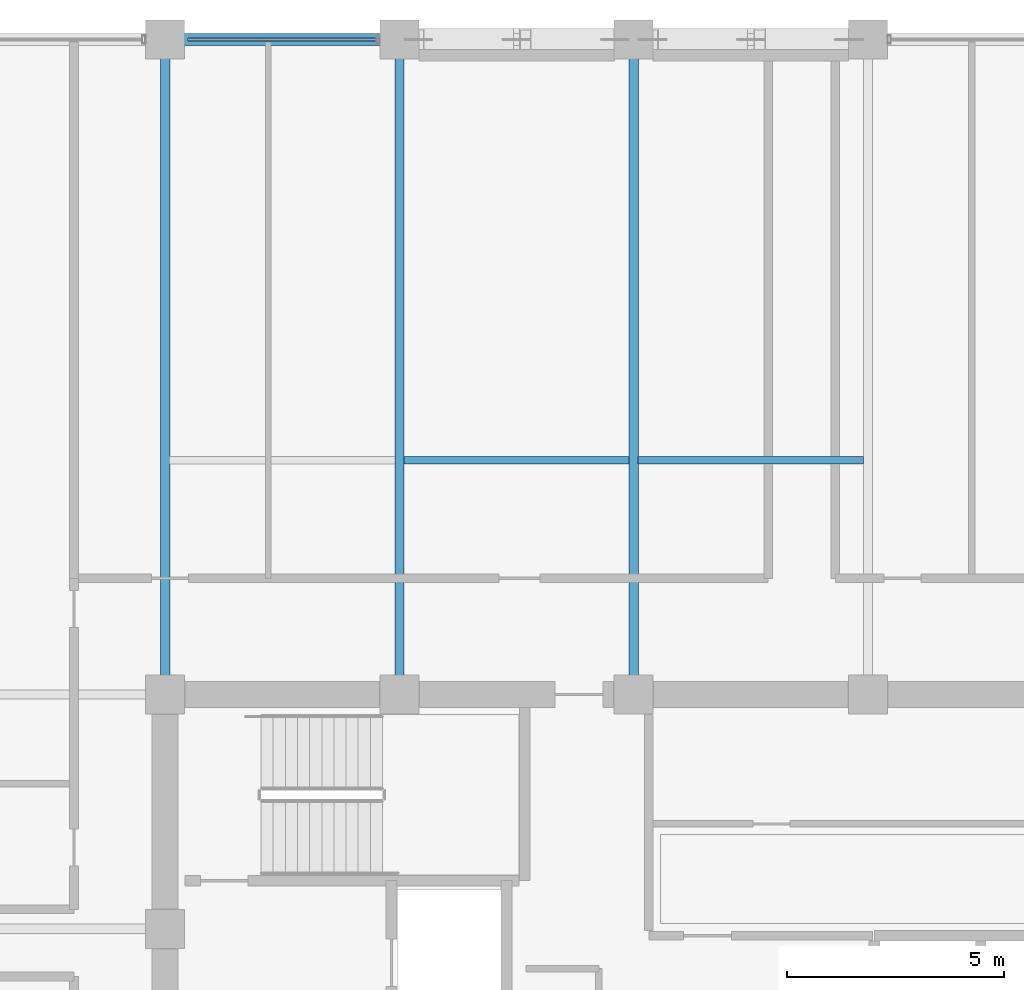
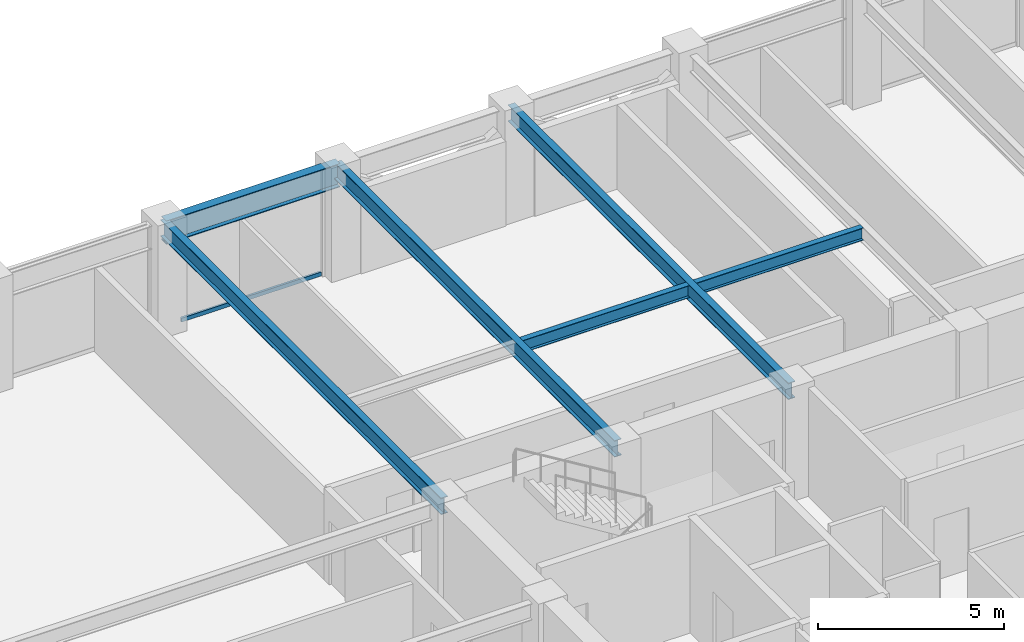
# One storey, part 20 of 32: 6 beams, 1 member, 1 element without a shape of its own.
"""IFC4 building model written with IfcOpenShell, lengths in metres."""

from ifc_helpers import new_model, si_unit, direction, frame, origin, origin_2d, place, context, subcontext, project, spatial, hollow_rectangle, i_section, extrude, material, layer, layer_set, material_profile, profile_set, type_object, element, aggregate, save


model = new_model("IFC4")

# Units and contexts
model_context = context("Model", 3, precision=1e-05, world=origin(), true_north=direction((0.0, 1.0)))
body_context = subcontext(model_context, "Body", "Model", "MODEL_VIEW")
ifc_project = project(units=[si_unit("LENGTHUNIT", "METRE"), si_unit("AREAUNIT", "SQUARE_METRE"), si_unit("VOLUMEUNIT", "CUBIC_METRE"), si_unit("PLANEANGLEUNIT", "RADIAN"), si_unit("MASSUNIT", "GRAM", prefix="KILO")], contexts=[model_context])

# Site, building, storey
site_placement = place(None, origin())
site = spatial("IfcSite", under=ifc_project, at=site_placement, CompositionType="ELEMENT")
building_placement = place(site_placement, origin())
building = spatial("IfcBuilding", under=site, at=building_placement, Name="Surkhivell Harbour Commons", CompositionType="ELEMENT")
storey_placement = place(building_placement, frame((0.0, 0.0, 197.25)))
storey = spatial("IfcBuildingStorey", under=building, at=storey_placement, Name="L51", CompositionType="ELEMENT", Elevation=197.25)

# Beams
ifc_material_1 = material(Name="Steel S355", Category="steel")
ifc_material_profile_1 = material_profile(ifc_material_1, i_section(OverallWidth=0.2119140625, OverallDepth=0.5439453125, WebThickness=0.0126953125, FlangeThickness=0.021240234375, at=origin_2d()), Name="UB533x210x122")
ifc_profile_set_1 = profile_set([ifc_material_profile_1], Name="Steel S355")
beam_type_1 = type_object("IfcBeamType", Name="BM-GRD-533A", PredefinedType="BEAM", material=ifc_profile_set_1)
for number, where, z_axis, x_axis, name in (
    (1, (-10.800048828125, 10.800048828125, 3.298095703125), (0.0, 1.0, 0.0), (-1.0, 0.0, 0.0), "L51 Floor Girder (-10.8,10.8)"),
    (2, (-5.39990234375, 10.800048828125, 3.298095703125), (0.0, 1.0, 0.0), (-1.0, 0.0, 0.0), "L51 Floor Girder (-5.4,10.8)"),
    (3, (0.0, 10.800048828125, 3.298095703125), (0.0, 1.0, 0.0), (-1.0, 0.0, 0.0), "L51 Floor Girder (0.0,10.8)"),
):
    element("IfcBeam", number, at=place(storey_placement, frame(where, z_axis=z_axis, x_axis=x_axis)), inside=storey, type_object=beam_type_1, Name=name, PredefinedType="BEAM", context=body_context, shape_type="SweptSolid", body=[
        extrude(i_section(OverallWidth=0.2119140625, OverallDepth=0.5439453125, WebThickness=0.0126953125, FlangeThickness=0.021240234375, at=origin_2d()), origin(), (0.0, 0.0, 1.0), 15.099853515625),
    ])
ifc_material_profile_2 = material_profile(ifc_material_1, i_section(OverallWidth=0.178955078125, OverallDepth=0.408935546875, WebThickness=0.0087890625, FlangeThickness=0.014404296875, at=origin_2d()), Name="UB406x178x67")
ifc_profile_set_2 = profile_set([ifc_material_profile_2], Name="Steel S355")
beam_type_2 = type_object("IfcBeamType", Name="BM-JST-406", PredefinedType="JOIST", material=ifc_profile_set_2)
for number, where, z_axis, x_axis, name in (
    (4, (-5.2958984375, 16.199951171875, 3.365478515625), (1.0, 0.0, 0.0), (0.0, 1.0, 0.0), "L51 North Composite Joist (-5.4)"),
    (5, (0.10400390625, 16.199951171875, 3.365478515625), (1.0, 0.0, 0.0), (0.0, 1.0, 0.0), "L51 North Composite Joist (0.0)"),
):
    element("IfcBeam", number, at=place(storey_placement, frame(where, z_axis=z_axis, x_axis=x_axis)), inside=storey, type_object=beam_type_2, Name=name, PredefinedType="JOIST", context=body_context, shape_type="SweptSolid", body=[
        extrude(i_section(OverallWidth=0.178955078125, OverallDepth=0.408935546875, WebThickness=0.0087890625, FlangeThickness=0.014404296875, at=origin_2d()), origin(), (0.0, 0.0, 1.0), 5.19189453125),
    ])
ifc_material_profile_3 = material_profile(ifc_material_1, i_section(OverallWidth=0.26806640625, OverallDepth=0.77001953125, WebThickness=0.015625, FlangeThickness=0.025390625, at=origin_2d()), Name="UB762x267x197")
ifc_profile_set_3 = profile_set([ifc_material_profile_3], Name="Steel S355")
beam_type_3 = type_object("IfcBeamType", Name="BM-SPN-762", PredefinedType="SPANDREL", material=ifc_profile_set_3)
beam_placement = place(storey_placement, frame((-10.800048828125, 25.89990234375, 3.18505859375), z_axis=(1.0, 0.0, 0.0), x_axis=(0.0, 1.0, 0.0)))
element("IfcBeam", 6, at=beam_placement, inside=storey, type_object=beam_type_3, Name="L51 Tube Spandrel (-10.8,25.9)", PredefinedType="SPANDREL", context=body_context, shape_type="SweptSolid", body=[
    extrude(i_section(OverallWidth=0.26806640625, OverallDepth=0.77001953125, WebThickness=0.015625, FlangeThickness=0.025390625, at=origin_2d()), origin(), (0.0, 0.0, 1.0), 5.400146484375),
])

# Curtain wall, member
ifc_material_2 = material(Name="Anodised pale-metal aluminium and insulated glazing", Category="aluminium")
ifc_layer = layer(ifc_material_2, 0.18994140625)
ifc_layer_set = layer_set([ifc_layer], Name="Anodised pale-metal aluminium and insulated glazing")
curtain_wall_type = type_object("IfcCurtainWallType", Name="CW-SYS-Z3", PredefinedType="NOTDEFINED", material=ifc_layer_set)
curtain_wall_placement = place(storey_placement, origin())
curtain_wall = element("IfcCurtainWall", 7, at=curtain_wall_placement, inside=storey, type_object=curtain_wall_type, Name="L51 Curtain Wall CW-L51-E07S2", PredefinedType="NOTDEFINED")
ifc_material_3 = material(Name="Champagne anodised aluminium alloy 6063-T6", Category="aluminium")
ifc_material_profile_4 = material_profile(ifc_material_3, hollow_rectangle(XDim=0.070068359375, YDim=0.1298828125, WallThickness=0.00341796875, at=origin_2d()), Name="ALU-TRAN-70x130")
ifc_profile_set_4 = profile_set([ifc_material_profile_4], Name="Champagne anodised aluminium alloy 6063-T6")
member_type = type_object("IfcMemberType", Name="CWT-130", PredefinedType="USERDEFINED", material=ifc_profile_set_4)
member_placement = place(storey_placement, frame((-5.927001953125, 25.89990234375, 0.06494140625), z_axis=(-1.0, 0.0, 0.0), x_axis=(0.0, -1.0, 0.0)))
member = element("IfcMember", 8, at=member_placement, type_object=member_type, Name="CW-Z3 transom 1.1", ObjectType="TRANSOM", PredefinedType="USERDEFINED", context=body_context, shape_type="SweptSolid", body=[
    extrude(hollow_rectangle(XDim=0.070068359375, YDim=0.1298828125, WallThickness=0.00341796875, at=origin_2d()), origin(), (0.0, 0.0, 1.0), 4.345947265625),
])
aggregate(curtain_wall, [member])

save(model, "model.ifc")
